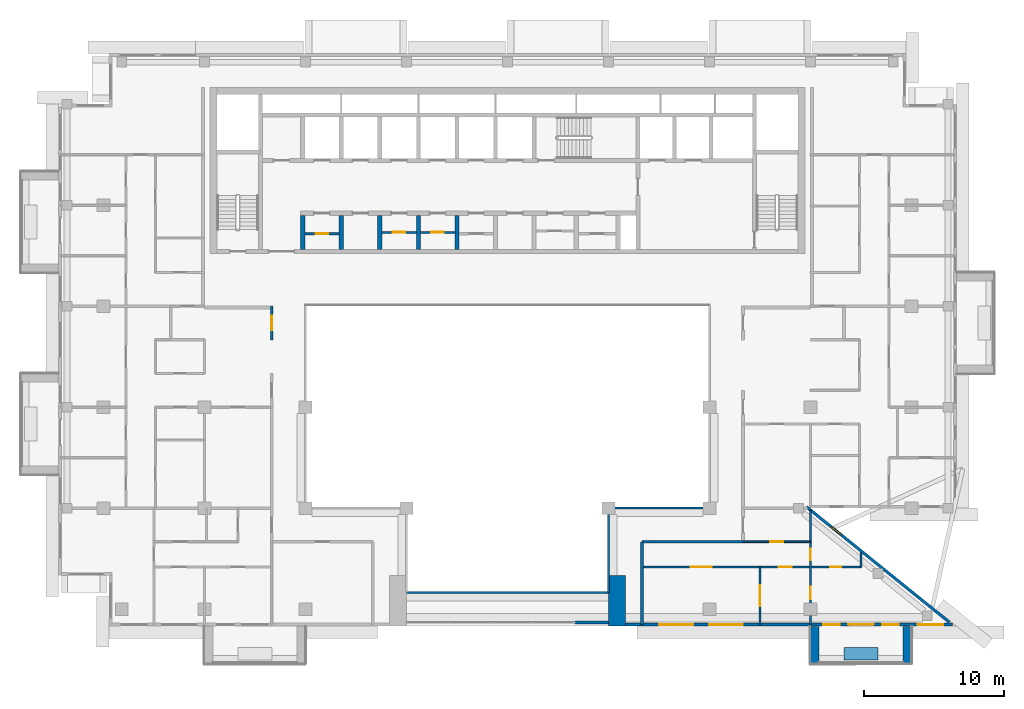
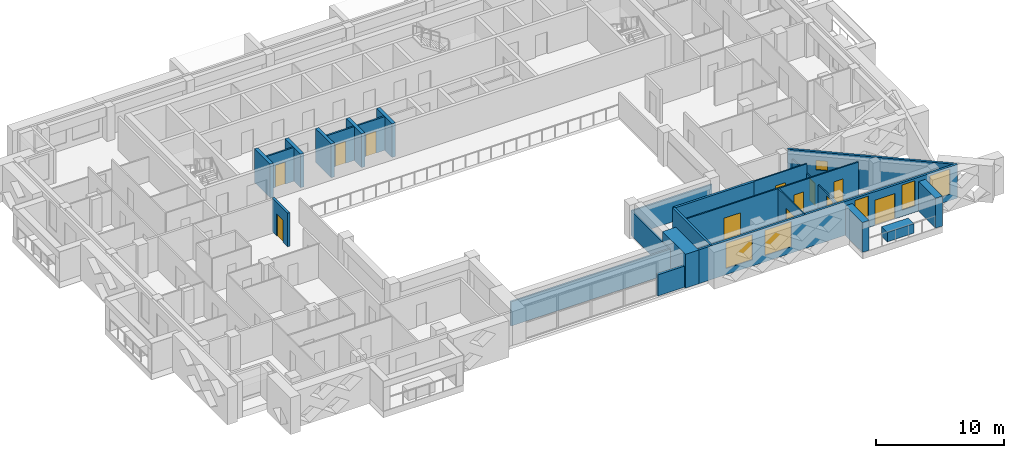
# One storey, part 8 of 19: 26 walls, 12 doors, 6 windows, 18 openings.
"""IFC4 building model written with IfcOpenShell, lengths in metres."""

from ifc_helpers import new_model, si_unit, direction, frame, frame_2d, origin, place, context, subcontext, project, spatial, rectangle, extrude, material, layer, layer_set, type_object, element, fill, save


model = new_model("IFC4")

# Units and contexts
model_context = context("Model", 3, precision=1e-05, world=origin(), true_north=direction((0.0, 1.0)))
body_context = subcontext(model_context, "Body", "Model", "MODEL_VIEW")
ifc_project = project(units=[si_unit("LENGTHUNIT", "METRE"), si_unit("AREAUNIT", "SQUARE_METRE"), si_unit("VOLUMEUNIT", "CUBIC_METRE"), si_unit("PLANEANGLEUNIT", "RADIAN"), si_unit("MASSUNIT", "GRAM", prefix="KILO")], contexts=[model_context])

# Site, building, storey
site_placement = place(None, origin())
site = spatial("IfcSite", under=ifc_project, at=site_placement, CompositionType="ELEMENT")
building_placement = place(site_placement, origin())
building = spatial("IfcBuilding", under=site, at=building_placement, Name="Saffron Iwan Residences", CompositionType="ELEMENT")
storey_placement = place(building_placement, frame((0.0, 0.0, 222.0)))
storey = spatial("IfcBuildingStorey", under=building, at=storey_placement, Name="L59", CompositionType="ELEMENT", Elevation=222.0)

# Walls
ifc_material_1 = material(Name="Fire-rated glazing", Category="glass")
ifc_layer_1 = layer(ifc_material_1, 0.14990234375)
ifc_layer_set_1 = layer_set([ifc_layer_1], Name="Fire-rated glazing")
wall_type_1 = type_object("IfcWallType", Name="Atrium glazed screen 150", PredefinedType="SOLIDWALL", material=ifc_layer_set_1)
wall_1_placement = place(storey_placement, frame((43.199951171875, 42.0, 0.0), z_axis=(0.0, 0.0, 1.0), x_axis=(1.0, 0.0, 0.0)))
element("IfcWall", 1, at=wall_1_placement, inside=storey, type_object=wall_type_1, Name="W-L59-SCREEN-h42-43.2", PredefinedType="SOLIDWALL", context=body_context, shape_type="SweptSolid", body=[
    extrude(rectangle(XDim=14.400146484375, YDim=0.14990234375, at=frame_2d((7.2001953125, 0.0))), origin(), (0.0, 0.0, 1.0), 2.320068359375),
])
wall_2_placement = place(storey_placement, frame((57.60009765625, 48.0, 0.0), z_axis=(0.0, 0.0, 1.0), x_axis=(1.0, 0.0, 0.0)))
element("IfcWall", 2, at=wall_2_placement, inside=storey, type_object=wall_type_1, Name="W-L59-SCREEN-h48-57.6", PredefinedType="SOLIDWALL", context=body_context, shape_type="SweptSolid", body=[
    extrude(rectangle(XDim=7.199951171875, YDim=0.14990234375, at=frame_2d((3.60009765625, 0.0))), origin(), (0.0, 0.0, 1.0), 2.320068359375),
])
wall_3_placement = place(storey_placement, frame((57.60009765625, 42.0, 0.0), z_axis=(0.0, 0.0, 1.0), x_axis=(0.0, 1.0, 0.0)))
element("IfcWall", 3, at=wall_3_placement, inside=storey, type_object=wall_type_1, Name="W-L59-SCREEN-v57.6-42", PredefinedType="SOLIDWALL", context=body_context, shape_type="SweptSolid", body=[
    extrude(rectangle(XDim=6.0, YDim=0.14990234375, at=frame_2d((3.0, 0.0))), origin(), (0.0, 0.0, 1.0), 2.320068359375),
])
ifc_material_2 = material(Name="Concrete C50/60 white painted", Category="concrete")
ifc_layer_2 = layer(ifc_material_2, 0.60009765625)
ifc_layer_set_2 = layer_set([ifc_layer_2], Name="Concrete C50/60 white painted")
wall_type_2 = type_object("IfcWallType", Name="BALCONY FIN 600", PredefinedType="SOLIDWALL", material=ifc_layer_set_2)
for number, where, z_axis, x_axis, name in (
    (4, (72.300048828125, 39.550048828125, 0.0), (0.0, 0.0, 1.0), (0.0, -1.0, 0.0), "Balcony fin L59 11-1a"),
    (5, (78.89990234375, 39.550048828125, 0.0), (0.0, 0.0, 1.0), (0.0, -1.0, 0.0), "Balcony fin L59 11-1b"),
):
    element("IfcWall", number, at=place(storey_placement, frame(where, z_axis=z_axis, x_axis=x_axis)), inside=storey, type_object=wall_type_2, Name=name, PredefinedType="SOLIDWALL", context=body_context, shape_type="SweptSolid", body=[
        extrude(rectangle(XDim=2.650146484375, YDim=0.60009765625, at=frame_2d((1.3251953125, 0.0))), origin(), (0.0, 0.0, 1.0), 2.85009765625),
    ])
ifc_material_3 = material(Name="Concrete C35/45 white painted", Category="concrete")
ifc_layer_3 = layer(ifc_material_3, 0.14990234375)
ifc_layer_set_3 = layer_set([ifc_layer_3], Name="Concrete C35/45 white painted")
wall_type_3 = type_object("IfcWallType", Name="BALCONY PLANTER", PredefinedType="SOLIDWALL", material=ifc_layer_set_3)
wall_4_placement = place(storey_placement, frame((74.39990234375, 37.625, 0.0), z_axis=(0.0, 0.0, 1.0), x_axis=(1.0, 0.0, 0.0)))
element("IfcWall", 6, at=wall_4_placement, inside=storey, type_object=wall_type_3, Name="PLANTER L59 11-1", PredefinedType="SOLIDWALL", context=body_context, shape_type="SweptSolid", body=[
    extrude(rectangle(XDim=2.400146484375, YDim=0.89990234375, at=frame_2d((1.2001953125, 0.0))), origin(), (0.0, 0.0, 1.0), 0.89990234375),
])

# Wall, opening, door
ifc_material_4 = material(Name="Fire-rated plasterboard partition")
ifc_layer_4 = layer(ifc_material_4, 0.14990234375)
ifc_layer_set_4 = layer_set([ifc_layer_4], Name="Fire-rated plasterboard partition")
wall_type_4 = type_object("IfcWallType", Name="Core partition 150", PredefinedType="PARTITIONING", material=ifc_layer_set_4)
wall_5_placement = place(storey_placement, frame((35.949951171875, 67.5654296875, 0.0), z_axis=(0.0, 0.0, 1.0), x_axis=(1.0, 0.0, 0.0)))
wall_5 = element("IfcWall", 7, at=wall_5_placement, inside=storey, type_object=wall_type_4, Name="Core partition P01", PredefinedType="PARTITIONING", context=body_context, shape_type="SweptSolid", body=[
    extrude(rectangle(XDim=2.449951171875, YDim=0.14990234375, at=frame_2d((1.22509765625, 0.0))), origin(), (0.0, 0.0, 1.0), 3.219970703125),
])
opening_1_placement = place(wall_5_placement, frame((0.77490234375, 0.0, 0.0)))
opening_1 = element("IfcOpeningElement", 8, at=opening_1_placement, cuts=wall_5, Name="Opening SB", PredefinedType="OPENING", context=body_context, shape_type="SweptSolid", body=[
    extrude(rectangle(XDim=0.89990234375, YDim=2.10009765625, at=frame_2d((0.449951171875, 1.050048828125))), frame((0.0, 0.0849609375, 0.0), z_axis=(0.0, -1.0, 0.0), x_axis=(1.0, 0.0, 0.0)), (0.0, 0.0, 1.0), 0.169921875),
])
ifc_material_5 = material(Name="Steel fire door", Category="steel")
door_type_1 = type_object("IfcDoorType", Name="Store door 900", OperationType="NOTDEFINED", PredefinedType="DOOR", material=ifc_material_5)
door_1_placement = place(opening_1_placement, origin())
door_1 = element("IfcDoor", 9, at=door_1_placement, inside=storey, type_object=door_type_1, Name="Door Records store", OperationType="SINGLE_SWING_RIGHT", OverallHeight=2.10009765625, OverallWidth=0.89990234375, PredefinedType="DOOR", context=body_context, shape_type="SweptSolid", body=[
    extrude(rectangle(XDim=0.89990234375, YDim=2.10009765625, at=frame_2d((0.449951171875, 1.050048828125))), frame((0.0, 0.02490234375, 0.0), z_axis=(0.0, -1.0, 0.0), x_axis=(1.0, 0.0, 0.0)), (0.0, 0.0, 1.0), 0.050048828125),
])
fill(opening_1, door_1)

wall_6_placement = place(storey_placement, frame((41.449951171875, 67.66259765625, 0.0), z_axis=(0.0, 0.0, 1.0), x_axis=(1.0, 0.0, 0.0)))
wall_6 = element("IfcWall", 10, at=wall_6_placement, inside=storey, type_object=wall_type_4, Name="Core partition P02", PredefinedType="PARTITIONING", context=body_context, shape_type="SweptSolid", body=[
    extrude(rectangle(XDim=2.449951171875, YDim=0.14990234375, at=frame_2d((1.22509765625, 0.0))), origin(), (0.0, 0.0, 1.0), 3.219970703125),
])
opening_2_placement = place(wall_6_placement, frame((0.77490234375, 0.0, 0.0)))
opening_2 = element("IfcOpeningElement", 11, at=opening_2_placement, cuts=wall_6, Name="Opening SB", PredefinedType="OPENING", context=body_context, shape_type="SweptSolid", body=[
    extrude(rectangle(XDim=0.89990234375, YDim=2.10009765625, at=frame_2d((0.449951171875, 1.050048828125))), frame((0.0, 0.0849609375, 0.0), z_axis=(0.0, -1.0, 0.0), x_axis=(1.0, 0.0, 0.0)), (0.0, 0.0, 1.0), 0.169921875),
])
door_2_placement = place(opening_2_placement, origin())
door_2 = element("IfcDoor", 12, at=door_2_placement, inside=storey, type_object=door_type_1, Name="Door Tool store", OperationType="SINGLE_SWING_RIGHT", OverallHeight=2.10009765625, OverallWidth=0.89990234375, PredefinedType="DOOR", context=body_context, shape_type="SweptSolid", body=[
    extrude(rectangle(XDim=0.89990234375, YDim=2.10009765625, at=frame_2d((0.449951171875, 1.050048828125))), frame((0.0, 0.02490234375, 0.0), z_axis=(0.0, -1.0, 0.0), x_axis=(1.0, 0.0, 0.0)), (0.0, 0.0, 1.0), 0.050048828125),
])
fill(opening_2, door_2)

wall_7_placement = place(storey_placement, frame((44.199951171875, 67.66259765625, 0.0), z_axis=(0.0, 0.0, 1.0), x_axis=(1.0, 0.0, 0.0)))
wall_7 = element("IfcWall", 13, at=wall_7_placement, inside=storey, type_object=wall_type_4, Name="Core partition P03", PredefinedType="PARTITIONING", context=body_context, shape_type="SweptSolid", body=[
    extrude(rectangle(XDim=2.449951171875, YDim=0.14990234375, at=frame_2d((1.22509765625, 0.0))), origin(), (0.0, 0.0, 1.0), 3.219970703125),
])
opening_3_placement = place(wall_7_placement, frame((0.77490234375, 0.0, 0.0)))
opening_3 = element("IfcOpeningElement", 14, at=opening_3_placement, cuts=wall_7, Name="Opening SB", PredefinedType="OPENING", context=body_context, shape_type="SweptSolid", body=[
    extrude(rectangle(XDim=0.89990234375, YDim=2.10009765625, at=frame_2d((0.449951171875, 1.050048828125))), frame((0.0, 0.0849609375, 0.0), z_axis=(0.0, -1.0, 0.0), x_axis=(1.0, 0.0, 0.0)), (0.0, 0.0, 1.0), 0.169921875),
])
door_3_placement = place(opening_3_placement, origin())
door_3 = element("IfcDoor", 15, at=door_3_placement, inside=storey, type_object=door_type_1, Name="Door Cabling room", OperationType="SINGLE_SWING_LEFT", OverallHeight=2.10009765625, OverallWidth=0.89990234375, PredefinedType="DOOR", context=body_context, shape_type="SweptSolid", body=[
    extrude(rectangle(XDim=0.89990234375, YDim=2.10009765625, at=frame_2d((0.449951171875, 1.050048828125))), frame((0.0, 0.02490234375, 0.0), z_axis=(0.0, -1.0, 0.0), x_axis=(1.0, 0.0, 0.0)), (0.0, 0.0, 1.0), 0.050048828125),
])
fill(opening_3, door_3)

# Wall, opening, window
ifc_material_6 = material(Name="Concrete C40/50", Category="concrete")
ifc_layer_5 = layer(ifc_material_6, 0.199951171875)
ifc_layer_set_5 = layer_set([ifc_layer_5], Name="Concrete C40/50")
wall_type_5 = type_object("IfcWallType", Name="EXTERNAL WALL 200", PredefinedType="SOLIDWALL", material=ifc_layer_set_5)
wall_8_placement = place(storey_placement, frame((81.906982421875, 39.86962890625, 0.0), z_axis=(0.0, 0.0, 1.0), x_axis=(-0.777936274417, 0.62834318087, 0.0)))
wall_8 = element("IfcWall", 16, at=wall_8_placement, inside=storey, type_object=wall_type_5, Name="External wall L59 F0.0", PredefinedType="SOLIDWALL", context=body_context, shape_type="SweptSolid", body=[
    extrude(rectangle(XDim=13.0986328125, YDim=0.199951171875, at=frame_2d((6.54931640625, 0.0))), origin(), (0.0, 0.0, 1.0), 3.219970703125),
])
opening_4_placement = place(wall_8_placement, frame((9.9384765625, 0.0, 1.5)))
opening_4 = element("IfcOpeningElement", 17, at=opening_4_placement, cuts=wall_8, Name="Opening W6", PredefinedType="OPENING", context=body_context, shape_type="SweptSolid", body=[
    extrude(rectangle(XDim=0.89990234375, YDim=0.89990234375, at=frame_2d((0.449951171875, 0.449951171875))), frame((0.0, 0.10986328125, 0.0), z_axis=(0.0, -1.0, 0.0), x_axis=(1.0, 0.0, 0.0)), (0.0, 0.0, 1.0), 0.219970703125),
])
ifc_material_7 = material(Name="Clear glass, laminated double glazed", Category="glass")
window_type_1 = type_object("IfcWindowType", Name="WINDOW 900 x 900 BATH", PartitioningType="SINGLE_PANEL", PredefinedType="WINDOW", material=ifc_material_7)
window_1_placement = place(opening_4_placement, origin())
window_1 = element("IfcWindow", 18, at=window_1_placement, inside=storey, type_object=window_type_1, Name="Window L59 F0.0", OverallHeight=0.89990234375, OverallWidth=0.89990234375, PartitioningType="SINGLE_PANEL", PredefinedType="WINDOW", context=body_context, shape_type="SweptSolid", body=[
    extrude(rectangle(XDim=0.89990234375, YDim=0.89990234375, at=frame_2d((0.449951171875, 0.449951171875))), frame((0.0, 0.030029296875, 0.0), z_axis=(0.0, -1.0, 0.0), x_axis=(1.0, 0.0, 0.0)), (0.0, 0.0, 1.0), 0.06005859375),
])
fill(opening_4, window_1)

# Wall, openings, door, windows
wall_9_placement = place(storey_placement, frame((58.800048828125, 39.699951171875, 0.0), z_axis=(0.0, 0.0, 1.0), x_axis=(1.0, 0.0, 0.0)))
wall_9 = element("IfcWall", 19, at=wall_9_placement, inside=storey, type_object=wall_type_5, Name="External wall L59 F11.1", PredefinedType="SOLIDWALL", context=body_context, shape_type="SweptSolid", body=[
    extrude(rectangle(XDim=23.31689453125, YDim=0.199951171875, at=frame_2d((11.658447265625, 0.0))), origin(), (0.0, 0.0, 1.0), 3.219970703125),
])
opening_5_placement = place(wall_9_placement, frame((15.89990234375, 0.0, 0.0)))
opening_5 = element("IfcOpeningElement", 20, at=opening_5_placement, cuts=wall_9, Name="Opening BD1", PredefinedType="OPENING", context=body_context, shape_type="SweptSolid", body=[
    extrude(rectangle(XDim=1.800048828125, YDim=2.39990234375, at=frame_2d((0.89990234375, 1.199951171875))), frame((0.0, 0.10986328125, 0.0), z_axis=(0.0, -1.0, 0.0), x_axis=(1.0, 0.0, 0.0)), (0.0, 0.0, 1.0), 0.219970703125),
])
opening_6_placement = place(wall_9_placement, frame((2.433349609375, 0.0, 0.60009765625)))
opening_6 = element("IfcOpeningElement", 21, at=opening_6_placement, cuts=wall_9, Name="Opening W1", PredefinedType="OPENING", context=body_context, shape_type="SweptSolid", body=[
    extrude(rectangle(XDim=2.39990234375, YDim=2.39990234375, at=frame_2d((1.199951171875, 1.199951171875))), frame((0.0, 0.10986328125, 0.0), z_axis=(0.0, -1.0, 0.0), x_axis=(1.0, 0.0, 0.0)), (0.0, 0.0, 1.0), 0.219970703125),
])
opening_7_placement = place(wall_9_placement, frame((5.966796875, 0.0, 0.60009765625)))
opening_7 = element("IfcOpeningElement", 22, at=opening_7_placement, cuts=wall_9, Name="Opening W1", PredefinedType="OPENING", context=body_context, shape_type="SweptSolid", body=[
    extrude(rectangle(XDim=2.39990234375, YDim=2.39990234375, at=frame_2d((1.199951171875, 1.199951171875))), frame((0.0, 0.10986328125, 0.0), z_axis=(0.0, -1.0, 0.0), x_axis=(1.0, 0.0, 0.0)), (0.0, 0.0, 1.0), 0.219970703125),
])
opening_8_placement = place(wall_9_placement, frame((14.10009765625, 0.0, 0.60009765625)))
opening_8 = element("IfcOpeningElement", 23, at=opening_8_placement, cuts=wall_9, Name="Opening W3", PredefinedType="OPENING", context=body_context, shape_type="SweptSolid", body=[
    extrude(rectangle(XDim=1.199951171875, YDim=2.39990234375, at=frame_2d((0.60009765625, 1.199951171875))), frame((0.0, 0.10986328125, 0.0), z_axis=(0.0, -1.0, 0.0), x_axis=(1.0, 0.0, 0.0)), (0.0, 0.0, 1.0), 0.219970703125),
])
opening_9_placement = place(wall_9_placement, frame((18.300048828125, 0.0, 0.60009765625)))
opening_9 = element("IfcOpeningElement", 24, at=opening_9_placement, cuts=wall_9, Name="Opening W3", PredefinedType="OPENING", context=body_context, shape_type="SweptSolid", body=[
    extrude(rectangle(XDim=1.199951171875, YDim=2.39990234375, at=frame_2d((0.60009765625, 1.199951171875))), frame((0.0, 0.10986328125, 0.0), z_axis=(0.0, -1.0, 0.0), x_axis=(1.0, 0.0, 0.0)), (0.0, 0.0, 1.0), 0.219970703125),
])
opening_10_placement = place(wall_9_placement, frame((20.8583984375, 0.0, 0.60009765625)))
opening_10 = element("IfcOpeningElement", 25, at=opening_10_placement, cuts=wall_9, Name="Opening W8", PredefinedType="OPENING", context=body_context, shape_type="SweptSolid", body=[
    extrude(rectangle(XDim=1.800048828125, YDim=2.39990234375, at=frame_2d((0.89990234375, 1.199951171875))), frame((0.0, 0.10986328125, 0.0), z_axis=(0.0, -1.0, 0.0), x_axis=(1.0, 0.0, 0.0)), (0.0, 0.0, 1.0), 0.219970703125),
])
door_type_2 = type_object("IfcDoorType", Name="BALCONY DOOR 1800 x 2400", OperationType="DOUBLE_DOOR_SLIDING", PredefinedType="DOOR", material=ifc_material_7)
door_4_placement = place(opening_5_placement, origin())
door_4 = element("IfcDoor", 26, at=door_4_placement, inside=storey, type_object=door_type_2, Name="Balcony door L59 F11.0", OperationType="DOUBLE_DOOR_SLIDING", OverallHeight=2.39990234375, OverallWidth=1.800048828125, PredefinedType="DOOR", context=body_context, shape_type="SweptSolid", body=[
    extrude(rectangle(XDim=1.800048828125, YDim=2.39990234375, at=frame_2d((0.89990234375, 1.199951171875))), frame((0.0, 0.02490234375, 0.0), z_axis=(0.0, -1.0, 0.0), x_axis=(1.0, 0.0, 0.0)), (0.0, 0.0, 1.0), 0.050048828125),
])
fill(opening_5, door_4)
window_type_2 = type_object("IfcWindowType", Name="WINDOW 1200 x 2400", PartitioningType="SINGLE_PANEL", PredefinedType="WINDOW", material=ifc_material_7)
window_2_placement = place(opening_8_placement, origin())
window_2 = element("IfcWindow", 27, at=window_2_placement, inside=storey, type_object=window_type_2, Name="Window L59 F11.3", OverallHeight=2.39990234375, OverallWidth=1.199951171875, PartitioningType="SINGLE_PANEL", PredefinedType="WINDOW", context=body_context, shape_type="SweptSolid", body=[
    extrude(rectangle(XDim=1.199951171875, YDim=2.39990234375, at=frame_2d((0.60009765625, 1.199951171875))), frame((0.0, 0.030029296875, 0.0), z_axis=(0.0, -1.0, 0.0), x_axis=(1.0, 0.0, 0.0)), (0.0, 0.0, 1.0), 0.06005859375),
])
fill(opening_8, window_2)
window_3_placement = place(opening_9_placement, origin())
window_3 = element("IfcWindow", 28, at=window_3_placement, inside=storey, type_object=window_type_2, Name="Window L59 F11.4", OverallHeight=2.39990234375, OverallWidth=1.199951171875, PartitioningType="SINGLE_PANEL", PredefinedType="WINDOW", context=body_context, shape_type="SweptSolid", body=[
    extrude(rectangle(XDim=1.199951171875, YDim=2.39990234375, at=frame_2d((0.60009765625, 1.199951171875))), frame((0.0, 0.030029296875, 0.0), z_axis=(0.0, -1.0, 0.0), x_axis=(1.0, 0.0, 0.0)), (0.0, 0.0, 1.0), 0.06005859375),
])
fill(opening_9, window_3)
window_type_3 = type_object("IfcWindowType", Name="WINDOW 1800 x 2400", PartitioningType="DOUBLE_PANEL_VERTICAL", PredefinedType="WINDOW", material=ifc_material_7)
window_4_placement = place(opening_10_placement, origin())
window_4 = element("IfcWindow", 29, at=window_4_placement, inside=storey, type_object=window_type_3, Name="Window L59 F11.5", OverallHeight=2.39990234375, OverallWidth=1.800048828125, PartitioningType="DOUBLE_PANEL_VERTICAL", PredefinedType="WINDOW", context=body_context, shape_type="SweptSolid", body=[
    extrude(rectangle(XDim=1.800048828125, YDim=2.39990234375, at=frame_2d((0.89990234375, 1.199951171875))), frame((0.0, 0.030029296875, 0.0), z_axis=(0.0, -1.0, 0.0), x_axis=(1.0, 0.0, 0.0)), (0.0, 0.0, 1.0), 0.06005859375),
])
fill(opening_10, window_4)
window_type_4 = type_object("IfcWindowType", Name="WINDOW 2400 x 2400", PartitioningType="DOUBLE_PANEL_VERTICAL", PredefinedType="WINDOW", material=ifc_material_7)
window_5_placement = place(opening_6_placement, origin())
window_5 = element("IfcWindow", 30, at=window_5_placement, inside=storey, type_object=window_type_4, Name="Window L59 F11.1", OverallHeight=2.39990234375, OverallWidth=2.39990234375, PartitioningType="DOUBLE_PANEL_VERTICAL", PredefinedType="WINDOW", context=body_context, shape_type="SweptSolid", body=[
    extrude(rectangle(XDim=2.39990234375, YDim=2.39990234375, at=frame_2d((1.199951171875, 1.199951171875))), frame((0.0, 0.030029296875, 0.0), z_axis=(0.0, -1.0, 0.0), x_axis=(1.0, 0.0, 0.0)), (0.0, 0.0, 1.0), 0.06005859375),
])
fill(opening_6, window_5)
window_6_placement = place(opening_7_placement, origin())
window_6 = element("IfcWindow", 31, at=window_6_placement, inside=storey, type_object=window_type_4, Name="Window L59 F11.2", OverallHeight=2.39990234375, OverallWidth=2.39990234375, PartitioningType="DOUBLE_PANEL_VERTICAL", PredefinedType="WINDOW", context=body_context, shape_type="SweptSolid", body=[
    extrude(rectangle(XDim=2.39990234375, YDim=2.39990234375, at=frame_2d((1.199951171875, 1.199951171875))), frame((0.0, 0.030029296875, 0.0), z_axis=(0.0, -1.0, 0.0), x_axis=(1.0, 0.0, 0.0)), (0.0, 0.0, 1.0), 0.06005859375),
])
fill(opening_7, window_6)

# Wall
wall_10_placement = place(storey_placement, frame((55.199951171875, 39.85009765625, 0.0), z_axis=(0.0, 0.0, 1.0), x_axis=(1.0, 0.0, 0.0)))
element("IfcWall", 32, at=wall_10_placement, inside=storey, type_object=wall_type_5, Name="External wall infill CWB-L59-0", PredefinedType="SOLIDWALL", context=body_context, shape_type="SweptSolid", body=[
    extrude(rectangle(XDim=2.400146484375, YDim=0.199951171875, at=frame_2d((1.2001953125, 0.0))), origin(), (0.0, 0.0, 1.0), 2.02001953125),
])

# Wall, openings, doors
ifc_material_8 = material(Name="Gypsum board partition")
ifc_layer_6 = layer(ifc_material_8, 0.1201171875)
ifc_layer_set_6 = layer_set([ifc_layer_6], Name="Gypsum board partition")
wall_type_6 = type_object("IfcWallType", Name="Flat partition 120", PredefinedType="PARTITIONING", material=ifc_layer_set_6)
wall_11_placement = place(storey_placement, frame((60.0, 43.800048828125, 0.0), z_axis=(0.0, 0.0, 1.0), x_axis=(1.0, 0.0, 0.0)))
wall_11 = element("IfcWall", 33, at=wall_11_placement, inside=storey, type_object=wall_type_6, Name="W-L59-PART-h43.8-60", PredefinedType="PARTITIONING", context=body_context, shape_type="SweptSolid", body=[
    extrude(rectangle(XDim=15.60009765625, YDim=0.1201171875, at=frame_2d((7.800048828125, 0.0))), origin(), (0.0, 0.0, 1.0), 3.219970703125),
])
opening_11_placement = place(wall_11_placement, frame((9.75, 0.0, 0.0)))
opening_11 = element("IfcOpeningElement", 34, at=opening_11_placement, cuts=wall_11, Name="Opening FD2", PredefinedType="OPENING", context=body_context, shape_type="SweptSolid", body=[
    extrude(rectangle(XDim=0.89990234375, YDim=2.10009765625, at=frame_2d((0.449951171875, 1.050048828125))), frame((0.0, 0.070068359375, 0.0), z_axis=(0.0, -1.0, 0.0), x_axis=(1.0, 0.0, 0.0)), (0.0, 0.0, 1.0), 0.14013671875),
])
opening_12_placement = place(wall_11_placement, frame((3.449951171875, 0.0, 0.0)))
opening_12 = element("IfcOpeningElement", 35, at=opening_12_placement, cuts=wall_11, Name="Opening FD4", PredefinedType="OPENING", context=body_context, shape_type="SweptSolid", body=[
    extrude(rectangle(XDim=1.5, YDim=2.10009765625, at=frame_2d((0.75, 1.050048828125))), frame((0.0, 0.070068359375, 0.0), z_axis=(0.0, -1.0, 0.0), x_axis=(1.0, 0.0, 0.0)), (0.0, 0.0, 1.0), 0.14013671875),
])
opening_13_placement = place(wall_11_placement, frame((13.39990234375, 0.0, 0.0)))
opening_13 = element("IfcOpeningElement", 36, at=opening_13_placement, cuts=wall_11, Name="Opening FD3", PredefinedType="OPENING", context=body_context, shape_type="SweptSolid", body=[
    extrude(rectangle(XDim=0.800048828125, YDim=2.10009765625, at=frame_2d((0.39990234375, 1.050048828125))), frame((0.0, 0.070068359375, 0.0), z_axis=(0.0, -1.0, 0.0), x_axis=(1.0, 0.0, 0.0)), (0.0, 0.0, 1.0), 0.14013671875),
])
ifc_material_9 = material(Name="Timber door", Category="wood")
door_type_3 = type_object("IfcDoorType", Name="Bathroom door 800", OperationType="NOTDEFINED", PredefinedType="DOOR", material=ifc_material_9)
door_5_placement = place(opening_13_placement, origin())
door_5 = element("IfcDoor", 37, at=door_5_placement, inside=storey, type_object=door_type_3, Name="Door L59-047", OperationType="SINGLE_SWING_RIGHT", OverallHeight=2.10009765625, OverallWidth=0.800048828125, PredefinedType="DOOR", context=body_context, shape_type="SweptSolid", body=[
    extrude(rectangle(XDim=0.800048828125, YDim=2.10009765625, at=frame_2d((0.39990234375, 1.050048828125))), frame((0.0, 0.02490234375, 0.0), z_axis=(0.0, -1.0, 0.0), x_axis=(1.0, 0.0, 0.0)), (0.0, 0.0, 1.0), 0.050048828125),
])
fill(opening_13, door_5)
door_type_4 = type_object("IfcDoorType", Name="Double door 1500", OperationType="NOTDEFINED", PredefinedType="DOOR", material=ifc_material_9)
door_6_placement = place(opening_12_placement, origin())
door_6 = element("IfcDoor", 38, at=door_6_placement, inside=storey, type_object=door_type_4, Name="Door L59-044", OperationType="SINGLE_SWING_RIGHT", OverallHeight=2.10009765625, OverallWidth=1.5, PredefinedType="DOOR", context=body_context, shape_type="SweptSolid", body=[
    extrude(rectangle(XDim=1.5, YDim=2.10009765625, at=frame_2d((0.75, 1.050048828125))), frame((0.0, 0.02490234375, 0.0), z_axis=(0.0, -1.0, 0.0), x_axis=(1.0, 0.0, 0.0)), (0.0, 0.0, 1.0), 0.050048828125),
])
fill(opening_12, door_6)
door_type_5 = type_object("IfcDoorType", Name="Flat door 900", OperationType="NOTDEFINED", PredefinedType="DOOR", material=ifc_material_9)
door_7_placement = place(opening_11_placement, origin())
door_7 = element("IfcDoor", 39, at=door_7_placement, inside=storey, type_object=door_type_5, Name="Door L59-043", OperationType="SINGLE_SWING_LEFT", OverallHeight=2.10009765625, OverallWidth=0.89990234375, PredefinedType="DOOR", context=body_context, shape_type="SweptSolid", body=[
    extrude(rectangle(XDim=0.89990234375, YDim=2.10009765625, at=frame_2d((0.449951171875, 1.050048828125))), frame((0.0, 0.02490234375, 0.0), z_axis=(0.0, -1.0, 0.0), x_axis=(1.0, 0.0, 0.0)), (0.0, 0.0, 1.0), 0.050048828125),
])
fill(opening_11, door_7)

# Wall, opening, door
wall_12_placement = place(storey_placement, frame((67.199951171875, 45.60009765625, 0.0), z_axis=(0.0, 0.0, 1.0), x_axis=(1.0, 0.0, 0.0)))
wall_12 = element("IfcWall", 40, at=wall_12_placement, inside=storey, type_object=wall_type_6, Name="W-L59-PART-h45.6-67.2", PredefinedType="PARTITIONING", context=body_context, shape_type="SweptSolid", body=[
    extrude(rectangle(XDim=4.800048828125, YDim=0.1201171875, at=frame_2d((2.39990234375, 0.0))), origin(), (0.0, 0.0, 1.0), 3.219970703125),
])
opening_14_placement = place(wall_12_placement, frame((1.949951171875, 0.0, 0.0)))
opening_14 = element("IfcOpeningElement", 41, at=opening_14_placement, cuts=wall_12, Name="Opening FD2", PredefinedType="OPENING", context=body_context, shape_type="SweptSolid", body=[
    extrude(rectangle(XDim=0.89990234375, YDim=2.10009765625, at=frame_2d((0.449951171875, 1.050048828125))), frame((0.0, 0.070068359375, 0.0), z_axis=(0.0, -1.0, 0.0), x_axis=(1.0, 0.0, 0.0)), (0.0, 0.0, 1.0), 0.14013671875),
])
door_8_placement = place(opening_14_placement, origin())
door_8 = element("IfcDoor", 42, at=door_8_placement, inside=storey, type_object=door_type_5, Name="Door L59-041", OperationType="SINGLE_SWING_RIGHT", OverallHeight=2.10009765625, OverallWidth=0.89990234375, PredefinedType="DOOR", context=body_context, shape_type="SweptSolid", body=[
    extrude(rectangle(XDim=0.89990234375, YDim=2.10009765625, at=frame_2d((0.449951171875, 1.050048828125))), frame((0.0, 0.02490234375, 0.0), z_axis=(0.0, -1.0, 0.0), x_axis=(1.0, 0.0, 0.0)), (0.0, 0.0, 1.0), 0.050048828125),
])
fill(opening_14, door_8)

wall_13_placement = place(storey_placement, frame((68.39990234375, 39.72509765625, 0.0), z_axis=(0.0, 0.0, 1.0), x_axis=(0.0, 1.0, 0.0)))
wall_13 = element("IfcWall", 43, at=wall_13_placement, inside=storey, type_object=wall_type_6, Name="W-L59-PART-v68.4-39.725", PredefinedType="PARTITIONING", context=body_context, shape_type="SweptSolid", body=[
    extrude(rectangle(XDim=4.074951171875, YDim=0.1201171875, at=frame_2d((2.03759765625, 0.0))), origin(), (0.0, 0.0, 1.0), 3.219970703125),
])
opening_15_placement = place(wall_13_placement, frame((1.28759765625, 0.0, 0.0)))
opening_15 = element("IfcOpeningElement", 44, at=opening_15_placement, cuts=wall_13, Name="Opening FD4", PredefinedType="OPENING", context=body_context, shape_type="SweptSolid", body=[
    extrude(rectangle(XDim=1.5, YDim=2.10009765625, at=frame_2d((0.75, 1.050048828125))), frame((0.0, 0.070068359375, 0.0), z_axis=(0.0, -1.0, 0.0), x_axis=(1.0, 0.0, 0.0)), (0.0, 0.0, 1.0), 0.14013671875),
])
door_9_placement = place(opening_15_placement, origin())
door_9 = element("IfcDoor", 45, at=door_9_placement, inside=storey, type_object=door_type_4, Name="Door L59-040", OperationType="SINGLE_SWING_LEFT", OverallHeight=2.10009765625, OverallWidth=1.5, PredefinedType="DOOR", context=body_context, shape_type="SweptSolid", body=[
    extrude(rectangle(XDim=1.5, YDim=2.10009765625, at=frame_2d((0.75, 1.050048828125))), frame((0.0, 0.02490234375, 0.0), z_axis=(0.0, -1.0, 0.0), x_axis=(1.0, 0.0, 0.0)), (0.0, 0.0, 1.0), 0.050048828125),
])
fill(opening_15, door_9)

# Wall, openings, doors
wall_14_placement = place(storey_placement, frame((72.0, 39.72509765625, 0.0), z_axis=(0.0, 0.0, 1.0), x_axis=(0.0, 1.0, 0.0)))
wall_14 = element("IfcWall", 46, at=wall_14_placement, inside=storey, type_object=wall_type_6, Name="W-L59-PART-v72-39.725", PredefinedType="PARTITIONING", context=body_context, shape_type="SweptSolid", body=[
    extrude(rectangle(XDim=8.114013671875, YDim=0.1201171875, at=frame_2d((4.05712890625, 0.0))), origin(), (0.0, 0.0, 1.0), 2.320068359375),
])
opening_16_placement = place(wall_14_placement, frame((1.78759765625, 0.0, 0.0)))
opening_16 = element("IfcOpeningElement", 47, at=opening_16_placement, cuts=wall_14, Name="Opening FD2", PredefinedType="OPENING", context=body_context, shape_type="SweptSolid", body=[
    extrude(rectangle(XDim=0.89990234375, YDim=2.10009765625, at=frame_2d((0.449951171875, 1.050048828125))), frame((0.0, 0.070068359375, 0.0), z_axis=(0.0, -1.0, 0.0), x_axis=(1.0, 0.0, 0.0)), (0.0, 0.0, 1.0), 0.14013671875),
])
opening_17_placement = place(wall_14_placement, frame((4.574951171875, 0.0, 0.0)))
opening_17 = element("IfcOpeningElement", 48, at=opening_17_placement, cuts=wall_14, Name="Opening FD3", PredefinedType="OPENING", context=body_context, shape_type="SweptSolid", body=[
    extrude(rectangle(XDim=0.800048828125, YDim=2.10009765625, at=frame_2d((0.39990234375, 1.050048828125))), frame((0.0, 0.070068359375, 0.0), z_axis=(0.0, -1.0, 0.0), x_axis=(1.0, 0.0, 0.0)), (0.0, 0.0, 1.0), 0.14013671875),
])
door_10_placement = place(opening_17_placement, origin())
door_10 = element("IfcDoor", 49, at=door_10_placement, inside=storey, type_object=door_type_3, Name="Door L59-046", OperationType="SINGLE_SWING_LEFT", OverallHeight=2.10009765625, OverallWidth=0.800048828125, PredefinedType="DOOR", context=body_context, shape_type="SweptSolid", body=[
    extrude(rectangle(XDim=0.800048828125, YDim=2.10009765625, at=frame_2d((0.39990234375, 1.050048828125))), frame((0.0, 0.02490234375, 0.0), z_axis=(0.0, -1.0, 0.0), x_axis=(1.0, 0.0, 0.0)), (0.0, 0.0, 1.0), 0.050048828125),
])
fill(opening_17, door_10)
door_11_placement = place(opening_16_placement, origin())
door_11 = element("IfcDoor", 50, at=door_11_placement, inside=storey, type_object=door_type_5, Name="Door L59-045", OperationType="SINGLE_SWING_RIGHT", OverallHeight=2.10009765625, OverallWidth=0.89990234375, PredefinedType="DOOR", context=body_context, shape_type="SweptSolid", body=[
    extrude(rectangle(XDim=0.89990234375, YDim=2.10009765625, at=frame_2d((0.449951171875, 1.050048828125))), frame((0.0, 0.02490234375, 0.0), z_axis=(0.0, -1.0, 0.0), x_axis=(1.0, 0.0, 0.0)), (0.0, 0.0, 1.0), 0.050048828125),
])
fill(opening_16, door_11)

# Walls
wall_15_placement = place(storey_placement, frame((75.60009765625, 43.800048828125, 0.0), z_axis=(0.0, 0.0, 1.0), x_axis=(0.0, 1.0, 0.0)))
element("IfcWall", 51, at=wall_15_placement, inside=storey, type_object=wall_type_6, Name="W-L59-PART-v75.6-43.8", PredefinedType="PARTITIONING", context=body_context, shape_type="SweptSolid", body=[
    extrude(rectangle(XDim=1.03515625, YDim=0.1201171875, at=frame_2d((0.517578125, 0.0))), origin(), (0.0, 0.0, 1.0), 2.320068359375),
])
ifc_material_10 = material(Name="Fire-rated gypsum board wall")
ifc_layer_7 = layer(ifc_material_10, 0.199951171875)
ifc_layer_set_7 = layer_set([ifc_layer_7], Name="Fire-rated gypsum board wall")
wall_type_7 = type_object("IfcWallType", Name="Gallery wall 200", PredefinedType="SOLIDWALL", material=ifc_layer_set_7)
wall_16_placement = place(storey_placement, frame((60.0, 45.60009765625, 0.0), z_axis=(0.0, 0.0, 1.0), x_axis=(1.0, 0.0, 0.0)))
element("IfcWall", 52, at=wall_16_placement, inside=storey, type_object=wall_type_7, Name="W-L59-CORR-h45.6-60", PredefinedType="SOLIDWALL", context=body_context, shape_type="SweptSolid", body=[
    extrude(rectangle(XDim=7.199951171875, YDim=0.199951171875, at=frame_2d((3.60009765625, 0.0))), origin(), (0.0, 0.0, 1.0), 3.219970703125),
])

# Wall, opening, door
wall_17_placement = place(storey_placement, frame((33.60009765625, 60.0, 0.0), z_axis=(0.0, 0.0, 1.0), x_axis=(0.0, 1.0, 0.0)))
wall_17 = element("IfcWall", 53, at=wall_17_placement, inside=storey, type_object=wall_type_7, Name="W-L59-CORR-v33.6-60", PredefinedType="SOLIDWALL", context=body_context, shape_type="SweptSolid", body=[
    extrude(rectangle(XDim=2.39990234375, YDim=0.199951171875, at=frame_2d((1.199951171875, 0.0))), origin(), (0.0, 0.0, 1.0), 3.219970703125),
])
opening_18_placement = place(wall_17_placement, frame((0.699951171875, 0.0, 0.0)))
opening_18 = element("IfcOpeningElement", 54, at=opening_18_placement, cuts=wall_17, Name="Opening FD5", PredefinedType="OPENING", context=body_context, shape_type="SweptSolid", body=[
    extrude(rectangle(XDim=1.0, YDim=2.10009765625, at=frame_2d((0.5, 1.050048828125))), frame((0.0, 0.10986328125, 0.0), z_axis=(0.0, -1.0, 0.0), x_axis=(1.0, 0.0, 0.0)), (0.0, 0.0, 1.0), 0.219970703125),
])
ifc_material_11 = material(Name="Fire-rated timber door", Category="wood")
door_type_6 = type_object("IfcDoorType", Name="Lobby door 1000", OperationType="NOTDEFINED", PredefinedType="DOOR", material=ifc_material_11)
door_12_placement = place(opening_18_placement, origin())
door_12 = element("IfcDoor", 55, at=door_12_placement, inside=storey, type_object=door_type_6, Name="Door L59-025", OperationType="SINGLE_SWING_LEFT", OverallHeight=2.10009765625, OverallWidth=1.0, PredefinedType="DOOR", context=body_context, shape_type="SweptSolid", body=[
    extrude(rectangle(XDim=1.0, YDim=2.10009765625, at=frame_2d((0.5, 1.050048828125))), frame((0.0, 0.02490234375, 0.0), z_axis=(0.0, -1.0, 0.0), x_axis=(1.0, 0.0, 0.0)), (0.0, 0.0, 1.0), 0.050048828125),
])
fill(opening_18, door_12)

# Walls
wall_18_placement = place(storey_placement, frame((60.0, 39.72509765625, 0.0), z_axis=(0.0, 0.0, 1.0), x_axis=(0.0, 1.0, 0.0)))
element("IfcWall", 56, at=wall_18_placement, inside=storey, type_object=wall_type_7, Name="W-L59-CORR-v60-39.725", PredefinedType="SOLIDWALL", context=body_context, shape_type="SweptSolid", body=[
    extrude(rectangle(XDim=5.875, YDim=0.199951171875, at=frame_2d((2.9375, 0.0))), origin(), (0.0, 0.0, 1.0), 3.219970703125),
])
ifc_layer_8 = layer(ifc_material_6, 0.300048828125)
ifc_layer_set_8 = layer_set([ifc_layer_8], Name="Concrete C40/50")
wall_type_8 = type_object("IfcWallType", Name="WALL CORE 300 C40/50 3220 HIGH", PredefinedType="SHEAR", material=ifc_layer_set_8)
for number, where, z_axis, x_axis, name in (
    (57, (35.800048828125, 66.449951171875, 0.0), (0.0, 0.0, 1.0), (0.0, 1.0, 0.0), "Core wall"),
    (58, (38.550048828125, 66.449951171875, 0.0), (0.0, 0.0, 1.0), (0.0, 1.0, 0.0), "Core wall"),
    (59, (41.300048828125, 66.449951171875, 0.0), (0.0, 0.0, 1.0), (0.0, 1.0, 0.0), "Core wall"),
    (60, (44.050048828125, 66.449951171875, 0.0), (0.0, 0.0, 1.0), (0.0, 1.0, 0.0), "Core wall"),
    (61, (46.800048828125, 66.449951171875, 0.0), (0.0, 0.0, 1.0), (0.0, 1.0, 0.0), "Core wall"),
):
    element("IfcWall", number, at=place(storey_placement, frame(where, z_axis=z_axis, x_axis=x_axis)), inside=storey, type_object=wall_type_8, Name=name, PredefinedType="SHEAR", context=body_context, shape_type="SweptSolid", body=[
        extrude(rectangle(XDim=2.425048828125, YDim=0.300048828125, at=frame_2d((1.21240234375, 0.0))), origin(), (0.0, 0.0, 1.0), 3.219970703125),
    ])
ifc_layer_9 = layer(ifc_material_6, 1.199951171875)
ifc_layer_set_9 = layer_set([ifc_layer_9], Name="Concrete C40/50")
wall_type_9 = type_object("IfcWallType", Name="WALL IWAN PIER 1200 C40/50 3220 HIGH", PredefinedType="SHEAR", material=ifc_layer_set_9)
wall_19_placement = place(storey_placement, frame((58.199951171875, 39.60009765625, 0.0), z_axis=(0.0, 0.0, 1.0), x_axis=(0.0, 1.0, 0.0)))
element("IfcWall", 62, at=wall_19_placement, inside=storey, type_object=wall_type_9, Name="IWAN PIER", PredefinedType="SHEAR", context=body_context, shape_type="SweptSolid", body=[
    extrude(rectangle(XDim=3.599853515625, YDim=1.199951171875, at=frame_2d((1.7998046875, 0.0))), origin(), (0.0, 0.0, 1.0), 3.219970703125),
])

save(model, "model.ifc")
